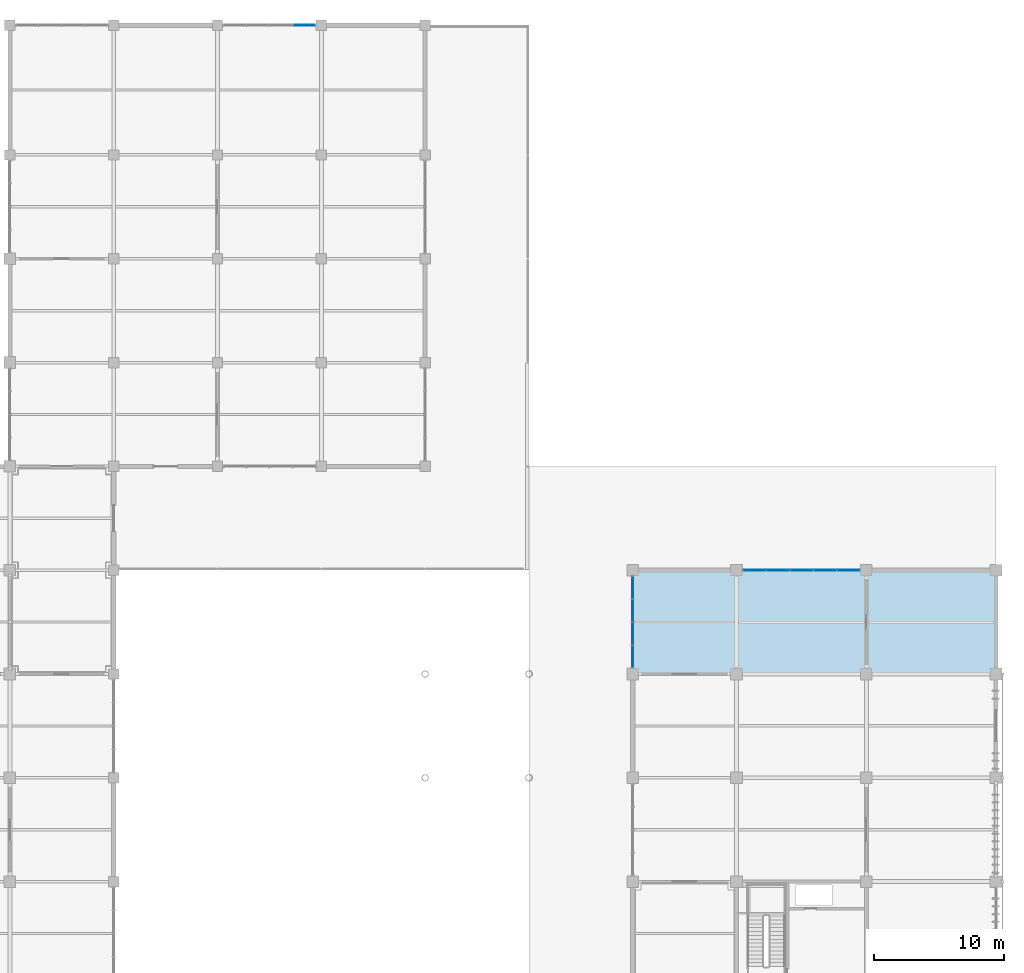
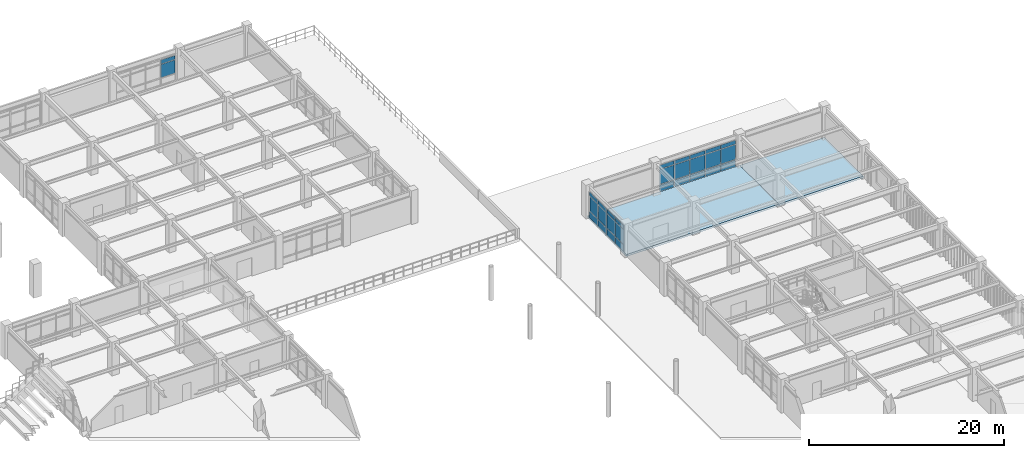
# One storey, part 85 of 118: 29 plates, 2 slabs, 3 elements without a shape of their own.
"""IFC4 building model written with IfcOpenShell, lengths in metres."""

from ifc_helpers import new_model, si_unit, direction, frame, origin, origin_2d, place, context, subcontext, project, spatial, polyline, rectangle, outline, extrude, material, layer, layer_set, type_object, element, aggregate, save


model = new_model("IFC4")

# Units and contexts
model_context = context("Model", 3, precision=1e-05, world=origin(), true_north=direction((0.0, 1.0)))
body_context = subcontext(model_context, "Body", "Model", "MODEL_VIEW")
ifc_project = project(units=[si_unit("LENGTHUNIT", "METRE"), si_unit("AREAUNIT", "SQUARE_METRE"), si_unit("VOLUMEUNIT", "CUBIC_METRE"), si_unit("PLANEANGLEUNIT", "RADIAN"), si_unit("MASSUNIT", "GRAM", prefix="KILO")], contexts=[model_context])

# Site, building, storey
site_placement = place(None, origin())
site = spatial("IfcSite", under=ifc_project, at=site_placement, CompositionType="ELEMENT")
building_placement = place(site_placement, origin())
building = spatial("IfcBuilding", under=site, at=building_placement, Name="Haebicheon Civic Stadium", CompositionType="ELEMENT")
storey_placement = place(building_placement, frame((0.0, 0.0, 14.39990234375)))
storey = spatial("IfcBuildingStorey", under=building, at=storey_placement, Name="L04", CompositionType="ELEMENT", Elevation=14.39990234375)

# Curtain wall, plate
ifc_material_1 = material(Name="Anodised aluminium and laminated glass", Category="aluminium")
ifc_layer_1 = layer(ifc_material_1, 0.179931640625, Name="Anodised aluminium and laminated glass")
ifc_layer_set_1 = layer_set([ifc_layer_1], Name="Anodised aluminium and laminated glass")
curtain_wall_type_1 = type_object("IfcCurtainWallType", Name="CW-7200x3170", PredefinedType="NOTDEFINED", material=ifc_layer_set_1)
curtain_wall_1_placement = place(storey_placement, origin())
curtain_wall_1 = element("IfcCurtainWall", 1, at=curtain_wall_1_placement, inside=storey, type_object=curtain_wall_type_1, material=ifc_layer_set_1, Name="L04 unitised curtain wall 164", PredefinedType="NOTDEFINED")
ifc_material_2 = material(Name="Double low-e acoustic laminated glass", Category="glass")
ifc_layer_2 = layer(ifc_material_2, 0.035888671875, Name="Double low-e acoustic laminated glass")
ifc_layer_set_2 = layer_set([ifc_layer_2], Name="Double low-e acoustic laminated glass")
plate_type_1 = type_object("IfcPlateType", Name="CWP-GLZ-36", PredefinedType="CURTAIN_PANEL", material=ifc_layer_set_2)
plate_1_placement = place(storey_placement, frame((182.681884765625, 178.0, 0.93505859375), z_axis=(0.0, 0.0, 1.0), x_axis=(1.0, 0.0, 0.0)))
plate_1 = element("IfcPlate", 2, at=plate_1_placement, type_object=plate_type_1, material=ifc_layer_set_2, Name="CW-L04-164 vision panel 4.2", PredefinedType="CURTAIN_PANEL", context=body_context, shape_type="SweptSolid", body=[
    extrude(rectangle(XDim=1.695068359375, YDim=0.035888671875, at=origin_2d()), origin(), (0.0, 0.0, 1.0), 1.64990234375),
])

# Curtain wall, plates
ifc_material_3 = material(Name="Anodised aluminium and laminated glass", Category="aluminium")
ifc_layer_3 = layer(ifc_material_3, 0.179931640625, Name="Anodised aluminium and laminated glass")
ifc_layer_set_3 = layer_set([ifc_layer_3], Name="Anodised aluminium and laminated glass")
curtain_wall_type_2 = type_object("IfcCurtainWallType", Name="CW-7100x3330", PredefinedType="NOTDEFINED", material=ifc_layer_set_3)
curtain_wall_2_placement = place(storey_placement, origin())
curtain_wall_2 = element("IfcCurtainWall", 3, at=curtain_wall_2_placement, inside=storey, type_object=curtain_wall_type_2, material=ifc_layer_set_3, Name="L04 unitised curtain wall 174", PredefinedType="NOTDEFINED")
plate_2_placement = place(storey_placement, frame((208.0, 129.35498046875, 0.93505859375), z_axis=(0.0, 0.0, 1.0), x_axis=(0.0, 1.0, 0.0)))
plate_2 = element("IfcPlate", 4, at=plate_2_placement, type_object=plate_type_1, material=ifc_layer_set_2, Name="CW-L04-174 vision panel 1.2", PredefinedType="CURTAIN_PANEL", context=body_context, shape_type="SweptSolid", body=[
    extrude(rectangle(XDim=1.669921875, YDim=0.035888671875, at=origin_2d()), origin(), (0.0, 0.0, 1.0), 1.81005859375),
])
plate_3_placement = place(storey_placement, frame((208.0, 131.112060546875, 0.93505859375), z_axis=(0.0, 0.0, 1.0), x_axis=(0.0, 1.0, 0.0)))
plate_3 = element("IfcPlate", 5, at=plate_3_placement, type_object=plate_type_1, material=ifc_layer_set_2, Name="CW-L04-174 vision panel 2.2", PredefinedType="CURTAIN_PANEL", context=body_context, shape_type="SweptSolid", body=[
    extrude(rectangle(XDim=1.705078125, YDim=0.035888671875, at=origin_2d()), origin(), (0.0, 0.0, 1.0), 1.81005859375),
])
plate_4_placement = place(storey_placement, frame((208.0, 132.887939453125, 0.93505859375), z_axis=(0.0, 0.0, 1.0), x_axis=(0.0, 1.0, 0.0)))
plate_4 = element("IfcPlate", 6, at=plate_4_placement, type_object=plate_type_1, material=ifc_layer_set_2, Name="CW-L04-174 vision panel 3.2", PredefinedType="CURTAIN_PANEL", context=body_context, shape_type="SweptSolid", body=[
    extrude(rectangle(XDim=1.705078125, YDim=0.035888671875, at=origin_2d()), origin(), (0.0, 0.0, 1.0), 1.81005859375),
])
plate_5_placement = place(storey_placement, frame((208.0, 134.64501953125, 0.93505859375), z_axis=(0.0, 0.0, 1.0), x_axis=(0.0, 1.0, 0.0)))
plate_5 = element("IfcPlate", 7, at=plate_5_placement, type_object=plate_type_1, material=ifc_layer_set_2, Name="CW-L04-174 vision panel 4.2", PredefinedType="CURTAIN_PANEL", context=body_context, shape_type="SweptSolid", body=[
    extrude(rectangle(XDim=1.669921875, YDim=0.035888671875, at=origin_2d()), origin(), (0.0, 0.0, 1.0), 1.81005859375),
])

ifc_material_4 = material(Name="Anodised aluminium and laminated glass", Category="aluminium")
ifc_layer_4 = layer(ifc_material_4, 0.179931640625, Name="Anodised aluminium and laminated glass")
ifc_layer_set_4 = layer_set([ifc_layer_4], Name="Anodised aluminium and laminated glass")
curtain_wall_type_3 = type_object("IfcCurtainWallType", Name="CW-9100x3350", PredefinedType="NOTDEFINED", material=ifc_layer_set_4)
curtain_wall_3_placement = place(storey_placement, origin())
curtain_wall_3 = element("IfcCurtainWall", 8, at=curtain_wall_3_placement, inside=storey, type_object=curtain_wall_type_3, material=ifc_layer_set_4, Name="L04 unitised curtain wall 176", PredefinedType="NOTDEFINED")
plate_6_placement = place(storey_placement, frame((217.3779296875, 136.0, 0.93505859375), z_axis=(0.0, 0.0, 1.0), x_axis=(1.0, 0.0, 0.0)))
plate_6 = element("IfcPlate", 9, at=plate_6_placement, type_object=plate_type_1, material=ifc_layer_set_2, Name="CW-L04-176 vision panel 1.2", PredefinedType="CURTAIN_PANEL", context=body_context, shape_type="SweptSolid", body=[
    extrude(rectangle(XDim=1.715087890625, YDim=0.035888671875, at=origin_2d()), origin(), (0.0, 0.0, 1.0), 1.830078125),
])
plate_7_placement = place(storey_placement, frame((219.179931640625, 136.0, 0.93505859375), z_axis=(0.0, 0.0, 1.0), x_axis=(1.0, 0.0, 0.0)))
plate_7 = element("IfcPlate", 10, at=plate_7_placement, type_object=plate_type_1, material=ifc_layer_set_2, Name="CW-L04-176 vision panel 2.2", PredefinedType="CURTAIN_PANEL", context=body_context, shape_type="SweptSolid", body=[
    extrude(rectangle(XDim=1.75, YDim=0.035888671875, at=origin_2d()), origin(), (0.0, 0.0, 1.0), 1.830078125),
])
plate_8_placement = place(storey_placement, frame((221.0, 136.0, 0.93505859375), z_axis=(0.0, 0.0, 1.0), x_axis=(1.0, 0.0, 0.0)))
plate_8 = element("IfcPlate", 11, at=plate_8_placement, type_object=plate_type_1, material=ifc_layer_set_2, Name="CW-L04-176 vision panel 3.2", PredefinedType="CURTAIN_PANEL", context=body_context, shape_type="SweptSolid", body=[
    extrude(rectangle(XDim=1.75, YDim=0.035888671875, at=origin_2d()), origin(), (0.0, 0.0, 1.0), 1.830078125),
])
plate_9_placement = place(storey_placement, frame((222.820068359375, 136.0, 0.93505859375), z_axis=(0.0, 0.0, 1.0), x_axis=(1.0, 0.0, 0.0)))
plate_9 = element("IfcPlate", 12, at=plate_9_placement, type_object=plate_type_1, material=ifc_layer_set_2, Name="CW-L04-176 vision panel 4.2", PredefinedType="CURTAIN_PANEL", context=body_context, shape_type="SweptSolid", body=[
    extrude(rectangle(XDim=1.75, YDim=0.035888671875, at=origin_2d()), origin(), (0.0, 0.0, 1.0), 1.830078125),
])
plate_10_placement = place(storey_placement, frame((224.6220703125, 136.0, 0.93505859375), z_axis=(0.0, 0.0, 1.0), x_axis=(1.0, 0.0, 0.0)))
plate_10 = element("IfcPlate", 13, at=plate_10_placement, type_object=plate_type_1, material=ifc_layer_set_2, Name="CW-L04-176 vision panel 5.2", PredefinedType="CURTAIN_PANEL", context=body_context, shape_type="SweptSolid", body=[
    extrude(rectangle(XDim=1.715087890625, YDim=0.035888671875, at=origin_2d()), origin(), (0.0, 0.0, 1.0), 1.830078125),
])

# Plate
ifc_material_5 = material(Name="Anodised aluminium 6063-T6", Category="aluminium")
ifc_layer_5 = layer(ifc_material_5, 0.053955078125, Name="Anodised aluminium 6063-T6")
ifc_layer_set_5 = layer_set([ifc_layer_5], Name="Anodised aluminium 6063-T6")
plate_type_2 = type_object("IfcPlateType", Name="CWP-SPD-54", PredefinedType="CURTAIN_PANEL", material=ifc_layer_set_5)
plate_11_placement = place(storey_placement, frame((182.681884765625, 178.0, 2.655029296875), z_axis=(0.0, 0.0, 1.0), x_axis=(1.0, 0.0, 0.0)))
plate_11 = element("IfcPlate", 14, at=plate_11_placement, type_object=plate_type_2, material=ifc_layer_set_5, Name="CW-L04-164 spandrel panel 4.3", PredefinedType="CURTAIN_PANEL", context=body_context, shape_type="SweptSolid", body=[
    extrude(rectangle(XDim=1.695068359375, YDim=0.053955078125, at=origin_2d()), origin(), (0.0, 0.0, 1.0), 0.47998046875),
])

aggregate(curtain_wall_1, [plate_1, plate_11])

plate_12_placement = place(storey_placement, frame((208.0, 129.35498046875, 0.03515625), z_axis=(0.0, 0.0, 1.0), x_axis=(0.0, 1.0, 0.0)))
plate_12 = element("IfcPlate", 15, at=plate_12_placement, type_object=plate_type_2, material=ifc_layer_set_5, Name="CW-L04-174 spandrel panel 1.1", PredefinedType="CURTAIN_PANEL", context=body_context, shape_type="SweptSolid", body=[
    extrude(rectangle(XDim=1.669921875, YDim=0.053955078125, at=origin_2d()), origin(), (0.0, 0.0, 1.0), 0.830078125),
])

plate_13_placement = place(storey_placement, frame((208.0, 129.35498046875, 2.815185546875), z_axis=(0.0, 0.0, 1.0), x_axis=(0.0, 1.0, 0.0)))
plate_13 = element("IfcPlate", 16, at=plate_13_placement, type_object=plate_type_2, material=ifc_layer_set_5, Name="CW-L04-174 spandrel panel 1.3", PredefinedType="CURTAIN_PANEL", context=body_context, shape_type="SweptSolid", body=[
    extrude(rectangle(XDim=1.669921875, YDim=0.053955078125, at=origin_2d()), origin(), (0.0, 0.0, 1.0), 0.47998046875),
])

plate_14_placement = place(storey_placement, frame((208.0, 131.112060546875, 0.03515625), z_axis=(0.0, 0.0, 1.0), x_axis=(0.0, 1.0, 0.0)))
plate_14 = element("IfcPlate", 17, at=plate_14_placement, type_object=plate_type_2, material=ifc_layer_set_5, Name="CW-L04-174 spandrel panel 2.1", PredefinedType="CURTAIN_PANEL", context=body_context, shape_type="SweptSolid", body=[
    extrude(rectangle(XDim=1.705078125, YDim=0.053955078125, at=origin_2d()), origin(), (0.0, 0.0, 1.0), 0.830078125),
])

plate_15_placement = place(storey_placement, frame((208.0, 131.112060546875, 2.815185546875), z_axis=(0.0, 0.0, 1.0), x_axis=(0.0, 1.0, 0.0)))
plate_15 = element("IfcPlate", 18, at=plate_15_placement, type_object=plate_type_2, material=ifc_layer_set_5, Name="CW-L04-174 spandrel panel 2.3", PredefinedType="CURTAIN_PANEL", context=body_context, shape_type="SweptSolid", body=[
    extrude(rectangle(XDim=1.705078125, YDim=0.053955078125, at=origin_2d()), origin(), (0.0, 0.0, 1.0), 0.47998046875),
])

plate_16_placement = place(storey_placement, frame((208.0, 132.887939453125, 0.03515625), z_axis=(0.0, 0.0, 1.0), x_axis=(0.0, 1.0, 0.0)))
plate_16 = element("IfcPlate", 19, at=plate_16_placement, type_object=plate_type_2, material=ifc_layer_set_5, Name="CW-L04-174 spandrel panel 3.1", PredefinedType="CURTAIN_PANEL", context=body_context, shape_type="SweptSolid", body=[
    extrude(rectangle(XDim=1.705078125, YDim=0.053955078125, at=origin_2d()), origin(), (0.0, 0.0, 1.0), 0.830078125),
])

plate_17_placement = place(storey_placement, frame((208.0, 132.887939453125, 2.815185546875), z_axis=(0.0, 0.0, 1.0), x_axis=(0.0, 1.0, 0.0)))
plate_17 = element("IfcPlate", 20, at=plate_17_placement, type_object=plate_type_2, material=ifc_layer_set_5, Name="CW-L04-174 spandrel panel 3.3", PredefinedType="CURTAIN_PANEL", context=body_context, shape_type="SweptSolid", body=[
    extrude(rectangle(XDim=1.705078125, YDim=0.053955078125, at=origin_2d()), origin(), (0.0, 0.0, 1.0), 0.47998046875),
])

plate_18_placement = place(storey_placement, frame((208.0, 134.64501953125, 0.03515625), z_axis=(0.0, 0.0, 1.0), x_axis=(0.0, 1.0, 0.0)))
plate_18 = element("IfcPlate", 21, at=plate_18_placement, type_object=plate_type_2, material=ifc_layer_set_5, Name="CW-L04-174 spandrel panel 4.1", PredefinedType="CURTAIN_PANEL", context=body_context, shape_type="SweptSolid", body=[
    extrude(rectangle(XDim=1.669921875, YDim=0.053955078125, at=origin_2d()), origin(), (0.0, 0.0, 1.0), 0.830078125),
])

plate_19_placement = place(storey_placement, frame((208.0, 134.64501953125, 2.815185546875), z_axis=(0.0, 0.0, 1.0), x_axis=(0.0, 1.0, 0.0)))
plate_19 = element("IfcPlate", 22, at=plate_19_placement, type_object=plate_type_2, material=ifc_layer_set_5, Name="CW-L04-174 spandrel panel 4.3", PredefinedType="CURTAIN_PANEL", context=body_context, shape_type="SweptSolid", body=[
    extrude(rectangle(XDim=1.669921875, YDim=0.053955078125, at=origin_2d()), origin(), (0.0, 0.0, 1.0), 0.47998046875),
])

aggregate(curtain_wall_2, [plate_12, plate_2, plate_13, plate_14, plate_3, plate_15, plate_16, plate_4, plate_17, plate_18, plate_5, plate_19])

plate_20_placement = place(storey_placement, frame((217.3779296875, 136.0, 0.03515625), z_axis=(0.0, 0.0, 1.0), x_axis=(1.0, 0.0, 0.0)))
plate_20 = element("IfcPlate", 23, at=plate_20_placement, type_object=plate_type_2, material=ifc_layer_set_5, Name="CW-L04-176 spandrel panel 1.1", PredefinedType="CURTAIN_PANEL", context=body_context, shape_type="SweptSolid", body=[
    extrude(rectangle(XDim=1.715087890625, YDim=0.053955078125, at=origin_2d()), origin(), (0.0, 0.0, 1.0), 0.830078125),
])

plate_21_placement = place(storey_placement, frame((217.3779296875, 136.0, 2.835205078125), z_axis=(0.0, 0.0, 1.0), x_axis=(1.0, 0.0, 0.0)))
plate_21 = element("IfcPlate", 24, at=plate_21_placement, type_object=plate_type_2, material=ifc_layer_set_5, Name="CW-L04-176 spandrel panel 1.3", PredefinedType="CURTAIN_PANEL", context=body_context, shape_type="SweptSolid", body=[
    extrude(rectangle(XDim=1.715087890625, YDim=0.053955078125, at=origin_2d()), origin(), (0.0, 0.0, 1.0), 0.47998046875),
])

plate_22_placement = place(storey_placement, frame((219.179931640625, 136.0, 0.03515625), z_axis=(0.0, 0.0, 1.0), x_axis=(1.0, 0.0, 0.0)))
plate_22 = element("IfcPlate", 25, at=plate_22_placement, type_object=plate_type_2, material=ifc_layer_set_5, Name="CW-L04-176 spandrel panel 2.1", PredefinedType="CURTAIN_PANEL", context=body_context, shape_type="SweptSolid", body=[
    extrude(rectangle(XDim=1.75, YDim=0.053955078125, at=origin_2d()), origin(), (0.0, 0.0, 1.0), 0.830078125),
])

plate_23_placement = place(storey_placement, frame((219.179931640625, 136.0, 2.835205078125), z_axis=(0.0, 0.0, 1.0), x_axis=(1.0, 0.0, 0.0)))
plate_23 = element("IfcPlate", 26, at=plate_23_placement, type_object=plate_type_2, material=ifc_layer_set_5, Name="CW-L04-176 spandrel panel 2.3", PredefinedType="CURTAIN_PANEL", context=body_context, shape_type="SweptSolid", body=[
    extrude(rectangle(XDim=1.75, YDim=0.053955078125, at=origin_2d()), origin(), (0.0, 0.0, 1.0), 0.47998046875),
])

plate_24_placement = place(storey_placement, frame((221.0, 136.0, 0.03515625), z_axis=(0.0, 0.0, 1.0), x_axis=(1.0, 0.0, 0.0)))
plate_24 = element("IfcPlate", 27, at=plate_24_placement, type_object=plate_type_2, material=ifc_layer_set_5, Name="CW-L04-176 spandrel panel 3.1", PredefinedType="CURTAIN_PANEL", context=body_context, shape_type="SweptSolid", body=[
    extrude(rectangle(XDim=1.75, YDim=0.053955078125, at=origin_2d()), origin(), (0.0, 0.0, 1.0), 0.830078125),
])

plate_25_placement = place(storey_placement, frame((221.0, 136.0, 2.835205078125), z_axis=(0.0, 0.0, 1.0), x_axis=(1.0, 0.0, 0.0)))
plate_25 = element("IfcPlate", 28, at=plate_25_placement, type_object=plate_type_2, material=ifc_layer_set_5, Name="CW-L04-176 spandrel panel 3.3", PredefinedType="CURTAIN_PANEL", context=body_context, shape_type="SweptSolid", body=[
    extrude(rectangle(XDim=1.75, YDim=0.053955078125, at=origin_2d()), origin(), (0.0, 0.0, 1.0), 0.47998046875),
])

plate_26_placement = place(storey_placement, frame((222.820068359375, 136.0, 0.03515625), z_axis=(0.0, 0.0, 1.0), x_axis=(1.0, 0.0, 0.0)))
plate_26 = element("IfcPlate", 29, at=plate_26_placement, type_object=plate_type_2, material=ifc_layer_set_5, Name="CW-L04-176 spandrel panel 4.1", PredefinedType="CURTAIN_PANEL", context=body_context, shape_type="SweptSolid", body=[
    extrude(rectangle(XDim=1.75, YDim=0.053955078125, at=origin_2d()), origin(), (0.0, 0.0, 1.0), 0.830078125),
])

plate_27_placement = place(storey_placement, frame((222.820068359375, 136.0, 2.835205078125), z_axis=(0.0, 0.0, 1.0), x_axis=(1.0, 0.0, 0.0)))
plate_27 = element("IfcPlate", 30, at=plate_27_placement, type_object=plate_type_2, material=ifc_layer_set_5, Name="CW-L04-176 spandrel panel 4.3", PredefinedType="CURTAIN_PANEL", context=body_context, shape_type="SweptSolid", body=[
    extrude(rectangle(XDim=1.75, YDim=0.053955078125, at=origin_2d()), origin(), (0.0, 0.0, 1.0), 0.47998046875),
])

plate_28_placement = place(storey_placement, frame((224.6220703125, 136.0, 0.03515625), z_axis=(0.0, 0.0, 1.0), x_axis=(1.0, 0.0, 0.0)))
plate_28 = element("IfcPlate", 31, at=plate_28_placement, type_object=plate_type_2, material=ifc_layer_set_5, Name="CW-L04-176 spandrel panel 5.1", PredefinedType="CURTAIN_PANEL", context=body_context, shape_type="SweptSolid", body=[
    extrude(rectangle(XDim=1.715087890625, YDim=0.053955078125, at=origin_2d()), origin(), (0.0, 0.0, 1.0), 0.830078125),
])

plate_29_placement = place(storey_placement, frame((224.6220703125, 136.0, 2.835205078125), z_axis=(0.0, 0.0, 1.0), x_axis=(1.0, 0.0, 0.0)))
plate_29 = element("IfcPlate", 32, at=plate_29_placement, type_object=plate_type_2, material=ifc_layer_set_5, Name="CW-L04-176 spandrel panel 5.3", PredefinedType="CURTAIN_PANEL", context=body_context, shape_type="SweptSolid", body=[
    extrude(rectangle(XDim=1.715087890625, YDim=0.053955078125, at=origin_2d()), origin(), (0.0, 0.0, 1.0), 0.47998046875),
])

aggregate(curtain_wall_3, [plate_20, plate_6, plate_21, plate_22, plate_7, plate_23, plate_24, plate_8, plate_25, plate_26, plate_9, plate_27, plate_28, plate_10, plate_29])

# Slabs
ifc_material_6 = material(Name="Concrete C40/50", Category="concrete")
ifc_layer_6 = layer(ifc_material_6, 0.260009765625, Name="Concrete C40/50")
ifc_layer_set_6 = layer_set([ifc_layer_6], Name="Concrete C40/50")
slab_type = type_object("IfcSlabType", Name="SLB-FLR-260", PredefinedType="FLOOR", material=ifc_layer_set_6)
slab_1_placement = place(storey_placement, frame((0.0, 0.0, -0.260009765625)))
element("IfcSlab", 33, at=slab_1_placement, inside=storey, type_object=slab_type, material=ifc_layer_set_6, Name="L04 V3 structural slab 4.1", PredefinedType="FLOOR", context=body_context, shape_type="SweptSolid", body=[
    extrude(outline(polyline([(208.0, 128.0), (208.0, 136.0), (216.0, 136.0), (226.0, 136.0), (226.0, 128.0), (216.0, 128.0), (208.0, 128.0)])), origin(), (0.0, 0.0, 1.0), 0.260009765625),
])
slab_2_placement = place(storey_placement, frame((0.0, 0.0, -0.260009765625)))
element("IfcSlab", 34, at=slab_2_placement, inside=storey, type_object=slab_type, material=ifc_layer_set_6, Name="L04 V3 structural slab 8.1", PredefinedType="FLOOR", context=body_context, shape_type="SweptSolid", body=[
    extrude(outline(polyline([(236.0, 128.0), (226.0, 128.0), (226.0, 136.0), (236.0, 136.0), (236.0, 128.0)])), origin(), (0.0, 0.0, 1.0), 0.260009765625),
])

save(model, "model.ifc")
